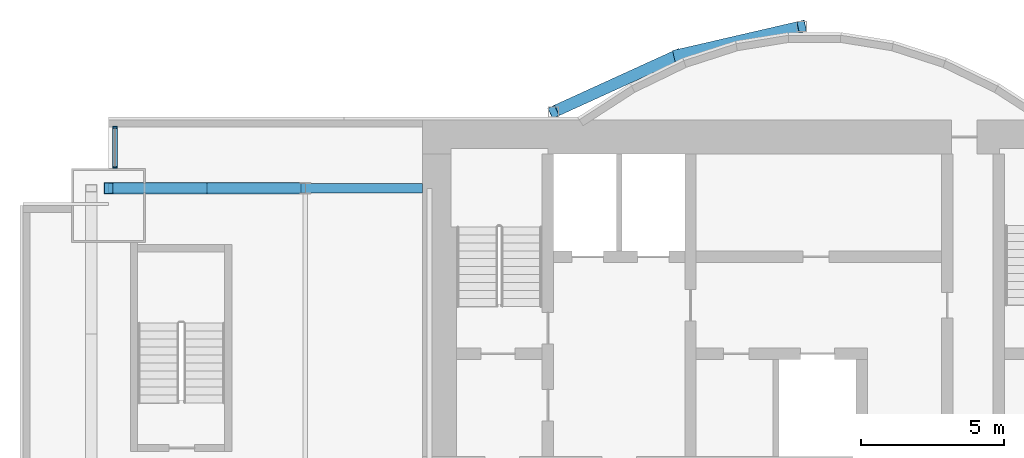
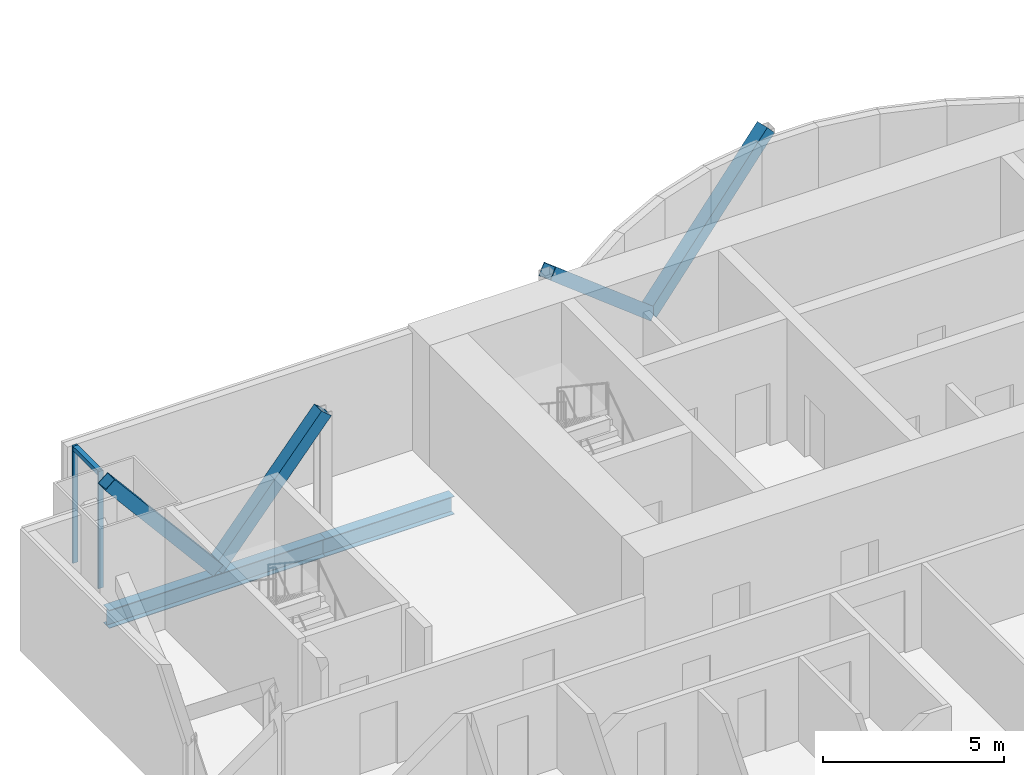
# One storey, part 10 of 20: 7 members, 2 beams, 1 element without a shape of its own.
"""IFC4 building model written with IfcOpenShell, lengths in metres."""

from ifc_helpers import new_model, si_unit, direction, frame, origin, origin_2d, place, context, subcontext, project, spatial, rectangle, hollow_rectangle, i_section, extrude, material, material_profile, profile_set, type_object, element, aggregate, save


model = new_model("IFC4")

# Units and contexts
model_context = context("Model", 3, precision=1e-05, world=origin(), true_north=direction((0.0, 1.0)))
body_context = subcontext(model_context, "Body", "Model", "MODEL_VIEW")
ifc_project = project(units=[si_unit("LENGTHUNIT", "METRE"), si_unit("AREAUNIT", "SQUARE_METRE"), si_unit("VOLUMEUNIT", "CUBIC_METRE"), si_unit("PLANEANGLEUNIT", "RADIAN"), si_unit("MASSUNIT", "GRAM", prefix="KILO")], contexts=[model_context])

# Site, building, storey
site_placement = place(None, origin())
site = spatial("IfcSite", under=ifc_project, at=site_placement, CompositionType="ELEMENT")
building_placement = place(site_placement, origin())
building = spatial("IfcBuilding", under=site, at=building_placement, Name="Bicima Exchange Tower", CompositionType="ELEMENT")
storey_placement = place(building_placement, frame((0.0, 0.0, 215.5)))
storey = spatial("IfcBuildingStorey", under=building, at=storey_placement, Name="L48", CompositionType="ELEMENT", Elevation=215.5)

# Curtain wall, members
ifc_material_1 = material(Name="Anodised bronze aluminium", Category="aluminium")
curtain_wall_type = type_object("IfcCurtainWallType", Name="Front glass wall", PredefinedType="NOTDEFINED", material=ifc_material_1)
curtain_wall_placement = place(storey_placement, origin())
curtain_wall = element("IfcCurtainWall", 1, at=curtain_wall_placement, inside=storey, type_object=curtain_wall_type, Name="Front glass wall L48 run 1", PredefinedType="NOTDEFINED")
ifc_material_profile_1 = material_profile(ifc_material_1, rectangle(XDim=0.159912109375, YDim=0.06005859375, at=origin_2d()))
ifc_profile_set_1 = profile_set([ifc_material_profile_1], Name="Anodised bronze aluminium")
member_type_1 = type_object("IfcMemberType", Name="Front glass wall mullion 60 x 160", PredefinedType="MULLION", material=ifc_profile_set_1)
member_1_placement = place(storey_placement, frame((-32.77001953125, -0.260009765625, 0.0), z_axis=(0.0, 0.0, 1.0), x_axis=(1.0, 0.0, 0.0)))
member_1 = element("IfcMember", 2, at=member_1_placement, type_object=member_type_1, Name="Front glass wall mullion 1", PredefinedType="MULLION", context=body_context, shape_type="SweptSolid", body=[
    extrude(rectangle(XDim=0.159912109375, YDim=0.06005859375, at=origin_2d()), origin(), (0.0, 0.0, 1.0), 3.949951171875),
])
member_2_placement = place(storey_placement, frame((-32.77001953125, -1.669921875, 0.0), z_axis=(0.0, 0.0, 1.0), x_axis=(1.0, 0.0, 0.0)))
member_2 = element("IfcMember", 3, at=member_2_placement, type_object=member_type_1, Name="Front glass wall mullion 2", PredefinedType="MULLION", context=body_context, shape_type="SweptSolid", body=[
    extrude(rectangle(XDim=0.159912109375, YDim=0.06005859375, at=origin_2d()), origin(), (0.0, 0.0, 1.0), 3.949951171875),
])
ifc_material_profile_2 = material_profile(ifc_material_1, rectangle(XDim=0.159912109375, YDim=0.139892578125, at=origin_2d()))
ifc_profile_set_2 = profile_set([ifc_material_profile_2], Name="Anodised bronze aluminium")
member_type_2 = type_object("IfcMemberType", Name="Front glass wall transom 140 x 160", PredefinedType="USERDEFINED", material=ifc_profile_set_2)
member_3_placement = place(storey_placement, frame((-32.77001953125, -0.2900390625, 3.8798828125), z_axis=(0.0, -1.0, 0.0), x_axis=(1.0, 0.0, 0.0)))
member_3 = element("IfcMember", 4, at=member_3_placement, type_object=member_type_2, Name="Front glass wall transom 1.1", ObjectType="TRANSOM", PredefinedType="USERDEFINED", context=body_context, shape_type="SweptSolid", body=[
    extrude(rectangle(XDim=0.159912109375, YDim=0.139892578125, at=origin_2d()), origin(), (0.0, 0.0, 1.0), 1.349853515625),
])
aggregate(curtain_wall, [member_1, member_2, member_3])

# Members
ifc_material_2 = material(Name="Steel ASTM A572 Gr 50", Category="steel")
ifc_material_profile_3 = material_profile(ifc_material_2, hollow_rectangle(XDim=0.406494140625, YDim=0.406494140625, WallThickness=0.0146484375, at=origin_2d()))
ifc_profile_set_3 = profile_set([ifc_material_profile_3], Name="Steel ASTM A572 Gr 50")
member_type_3 = type_object("IfcMemberType", Name="Mega brace HSS16x16x5/8", PredefinedType="BRACE", material=ifc_profile_set_3)
member_4_placement = place(storey_placement, frame((-13.050048828125, 2.262451171875, 0.0), z_axis=(0.717605620354, 0.166050509188, 0.676364843878), x_axis=(-0.225438503722, 0.974257399787, 0.0)))
element("IfcMember", 5, at=member_4_placement, inside=storey, type_object=member_type_3, Name="Mega brace rexo", PredefinedType="BRACE", context=body_context, shape_type="SweptSolid", body=[
    extrude(hollow_rectangle(XDim=0.406494140625, YDim=0.406494140625, WallThickness=0.0146484375, at=origin_2d()), origin(), (0.0, 0.0, 1.0), 6.06201171875),
])
member_5_placement = place(storey_placement, frame((-13.050048828125, 2.262451171875, 0.0), z_axis=(-0.690628963585, -0.315060460011, 0.650975069565), x_axis=(0.415045223819, -0.909800781592, 0.0)))
element("IfcMember", 6, at=member_5_placement, inside=storey, type_object=member_type_3, Name="Mega brace rexo", PredefinedType="BRACE", context=body_context, shape_type="SweptSolid", body=[
    extrude(hollow_rectangle(XDim=0.406494140625, YDim=0.406494140625, WallThickness=0.0146484375, at=origin_2d()), origin(), (0.0, 0.0, 1.0), 6.29833984375),
])
for number, where, z_axis, x_axis, name in (
    (7, (-29.550048828125, -2.39990234375, 0.0), (0.643834042494, 0.0, 0.765165162384), (0.0, 1.0, 0.0), "Mega brace rear"),
    (8, (-29.550048828125, -2.39990234375, 0.0), (-0.643834042494, 0.0, 0.765165162384), (0.0, -1.0, 0.0), "Mega brace rear"),
):
    element("IfcMember", number, at=place(storey_placement, frame(where, z_axis=z_axis, x_axis=x_axis)), inside=storey, type_object=member_type_3, Name=name, PredefinedType="BRACE", context=body_context, shape_type="SweptSolid", body=[
        extrude(hollow_rectangle(XDim=0.406494140625, YDim=0.406494140625, WallThickness=0.0146484375, at=origin_2d()), origin(), (0.0, 0.0, 1.0), 5.3583984375),
    ])

# Beams
ifc_material_3 = material(Name="Steel ASTM A992 Gr 50", Category="steel")
ifc_material_profile_4 = material_profile(ifc_material_3, i_section(OverallWidth=0.3251953125, OverallDepth=0.612060546875, WebThickness=0.0126953125, FlangeThickness=0.01904296875, at=origin_2d()))
ifc_profile_set_4 = profile_set([ifc_material_profile_4], Name="Steel ASTM A992 Gr 50")
beam_type = type_object("IfcBeamType", Name="Rear girder W24x104", PredefinedType="BEAM", material=ifc_profile_set_4)
beam_1_placement = place(storey_placement, frame((-22.0, -2.39990234375, -0.4560546875), z_axis=(-1.0, 0.0, 0.0), x_axis=(0.0, -1.0, 0.0)))
element("IfcBeam", 9, at=beam_1_placement, inside=storey, type_object=beam_type, Name="Rear girder", PredefinedType="BEAM", context=body_context, shape_type="SweptSolid", body=[
    extrude(i_section(OverallWidth=0.3251953125, OverallDepth=0.612060546875, WebThickness=0.0126953125, FlangeThickness=0.01904296875, at=origin_2d()), origin(), (0.0, 0.0, 1.0), 4.10009765625),
])
beam_2_placement = place(storey_placement, frame((-26.10009765625, -2.39990234375, -0.4560546875), z_axis=(-1.0, 0.0, 0.0), x_axis=(0.0, -1.0, 0.0)))
element("IfcBeam", 10, at=beam_2_placement, inside=storey, type_object=beam_type, Name="Rear girder", PredefinedType="BEAM", context=body_context, shape_type="SweptSolid", body=[
    extrude(i_section(OverallWidth=0.3251953125, OverallDepth=0.612060546875, WebThickness=0.0126953125, FlangeThickness=0.01904296875, at=origin_2d()), origin(), (0.0, 0.0, 1.0), 6.89990234375),
])

save(model, "model.ifc")
